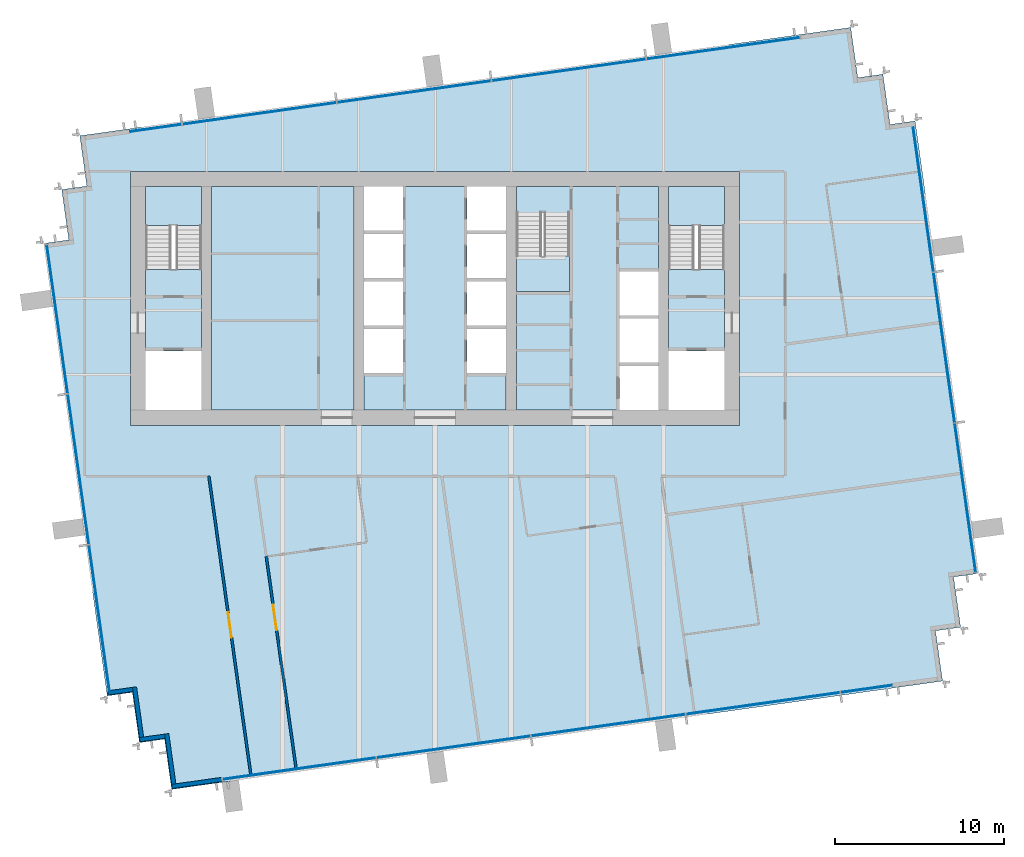
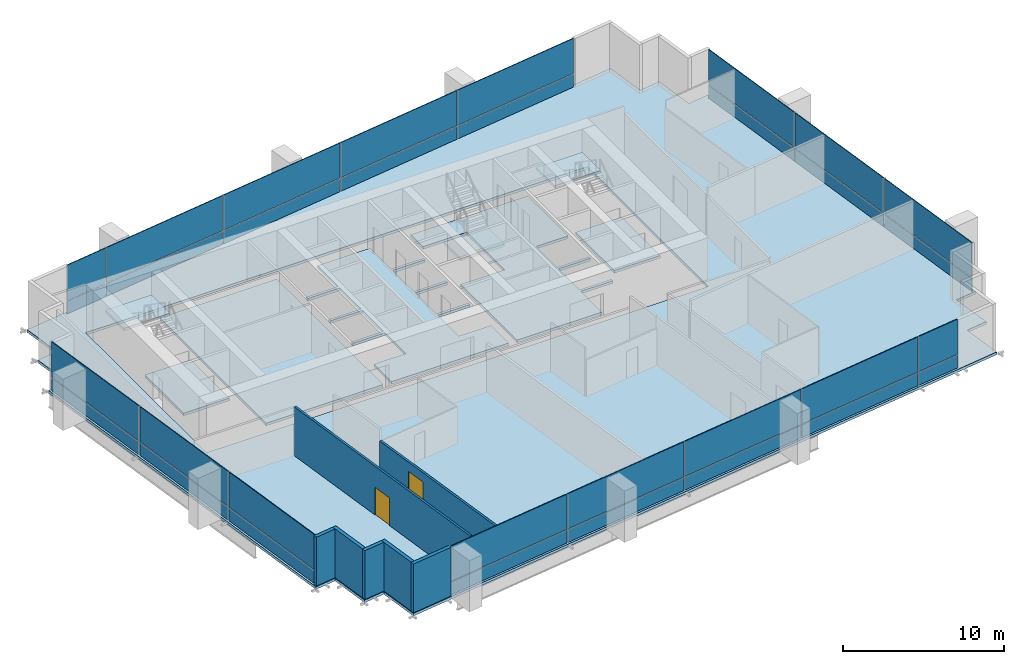
# One storey, part 8 of 13: 32 plates, 9 slabs, 7 walls, 2 doors, 2 openings, 7 elements without a shape of their own.
"""IFC4 building model written with IfcOpenShell, lengths in metres."""

from ifc_helpers import new_model, si_unit, direction, frame, frame_2d, origin, origin_2d, place, context, subcontext, project, spatial, polyline, rectangle, outline, extrude, material, layer, layer_set, type_object, element, fill, aggregate, save


model = new_model("IFC4")

# Units and contexts
model_context = context("Model", 3, precision=1e-05, world=origin(), true_north=direction((0.0, 1.0)))
body_context = subcontext(model_context, "Body", "Model", "MODEL_VIEW")
ifc_project = project(units=[si_unit("LENGTHUNIT", "METRE"), si_unit("AREAUNIT", "SQUARE_METRE"), si_unit("VOLUMEUNIT", "CUBIC_METRE"), si_unit("PLANEANGLEUNIT", "RADIAN"), si_unit("MASSUNIT", "GRAM", prefix="KILO")], contexts=[model_context])

# Site, building, storey
site_placement = place(None, origin())
site = spatial("IfcSite", under=ifc_project, at=site_placement, CompositionType="ELEMENT")
building_placement = place(site_placement, origin())
building = spatial("IfcBuilding", under=site, at=building_placement, Name="Rattan Terrace Tower", CompositionType="ELEMENT")
storey_placement = place(building_placement, frame((0.0, 0.0, 240.800048828125)))
storey = spatial("IfcBuildingStorey", under=building, at=storey_placement, Name="L55", CompositionType="ELEMENT", Elevation=240.800048828125)

# Stair, slab
ifc_material_1 = material(Name="Concrete C40/50", Category="concrete")
stair_type = type_object("IfcStairType", Name="Core exit stair 1500", PredefinedType="HALF_TURN_STAIR", material=ifc_material_1)
stair_1_placement = place(storey_placement, origin())
stair_1 = element("IfcStair", 1, at=stair_1_placement, inside=storey, type_object=stair_type, Name="L55 exit stair 1", PredefinedType="HALF_TURN_STAIR")
ifc_material_2 = material(Name="Concrete C40/50", Category="concrete")
ifc_layer_1 = layer(ifc_material_2, 0.199951171875)
ifc_layer_set_1 = layer_set([ifc_layer_1], Name="Core exit stair landing")
slab_type_1 = type_object("IfcSlabType", Name="Core exit stair landing", PredefinedType="LANDING", material=ifc_layer_set_1)
slab_1_placement = place(storey_placement, frame((0.0, 0.0, 1.75)))
slab_1 = element("IfcSlab", 2, at=slab_1_placement, type_object=slab_type_1, Name="S1 landing 1", PredefinedType="LANDING", context=body_context, shape_type="SweptSolid", body=[
    extrude(outline(polyline([(-13.800048828125, 4.300048828125), (-13.800048828125, 6.60009765625), (-17.10009765625, 6.60009765625), (-17.10009765625, 4.300048828125), (-13.800048828125, 4.300048828125)])), origin(), (0.0, 0.0, 1.0), 0.199951171875),
])
aggregate(stair_1, [slab_1])

stair_2_placement = place(storey_placement, origin())
stair_2 = element("IfcStair", 3, at=stair_2_placement, inside=storey, type_object=stair_type, Name="L55 exit stair 2", PredefinedType="HALF_TURN_STAIR")
slab_2_placement = place(storey_placement, frame((0.0, 0.0, 1.75)))
slab_2 = element("IfcSlab", 4, at=slab_2_placement, type_object=slab_type_1, Name="S2 landing 1", PredefinedType="LANDING", context=body_context, shape_type="SweptSolid", body=[
    extrude(outline(polyline([(17.10009765625, 4.300048828125), (17.10009765625, 6.60009765625), (13.800048828125, 6.60009765625), (13.800048828125, 4.300048828125), (17.10009765625, 4.300048828125)])), origin(), (0.0, 0.0, 1.0), 0.199951171875),
])
aggregate(stair_2, [slab_2])

stair_3_placement = place(storey_placement, origin())
stair_3 = element("IfcStair", 5, at=stair_3_placement, inside=storey, type_object=stair_type, Name="L55 exit stair 3", PredefinedType="HALF_TURN_STAIR")
slab_3_placement = place(storey_placement, frame((0.0, 0.0, 1.75)))
slab_3 = element("IfcSlab", 6, at=slab_3_placement, type_object=slab_type_1, Name="S3 landing 1", PredefinedType="LANDING", context=body_context, shape_type="SweptSolid", body=[
    extrude(outline(polyline([(4.800048828125, 2.5), (4.800048828125, 0.39990234375), (7.949951171875, 0.39990234375), (7.949951171875, 2.5), (4.800048828125, 2.5)])), origin(), (0.0, 0.0, 1.0), 0.199951171875),
])
aggregate(stair_3, [slab_3])

# Slabs
ifc_material_3 = material(Name="Concrete C35/45", Category="concrete")
ifc_layer_2 = layer(ifc_material_3, 0.199951171875)
ifc_layer_set_2 = layer_set([ifc_layer_2], Name="Frame composite floor slab 200")
slab_type_2 = type_object("IfcSlabType", Name="Frame composite floor slab 200", PredefinedType="FLOOR", material=ifc_layer_set_2)
slab_4_placement = place(storey_placement, frame((0.0, 0.0, -0.199951171875)))
element("IfcSlab", 7, at=slab_4_placement, inside=storey, type_object=slab_type_2, Name="Floor slab", PredefinedType="FLOOR", context=body_context, shape_type="SweptSolid", body=[
    extrude(outline(polyline([(-12.591064453125, -28.593994140625), (27.01904296875, -23.027099609375), (29.989990234375, -22.60888671875), (29.572998046875, -19.637939453125), (31.05810546875, -19.429931640625), (30.639892578125, -16.458984375), (32.1259765625, -16.25), (28.367919921875, 10.487060546875), (26.883056640625, 10.278076171875), (26.465087890625, 13.2490234375), (24.97998046875, 13.0400390625), (24.56201171875, 16.010986328125), (21.591064453125, 15.593994140625), (-18.01904296875, 10.027099609375), (-20.989990234375, 9.60888671875), (-20.572998046875, 6.637939453125), (-22.05810546875, 6.429931640625), (-21.639892578125, 3.458984375), (-23.1259765625, 3.25), (-19.367919921875, -23.487060546875), (-17.883056640625, -23.278076171875), (-17.465087890625, -26.2490234375), (-15.97998046875, -26.0400390625), (-15.56201171875, -29.010986328125), (-12.591064453125, -28.593994140625)]), holes=[polyline([(-18.0, -7.5), (18.0, -7.5), (18.0, -6.60009765625), (18.0, 6.60009765625), (18.0, 7.5), (-18.0, 7.5), (-18.0, 6.60009765625), (-18.0, -6.60009765625), (-18.0, -7.5)])]), origin(), (0.0, 0.0, 1.0), 0.199951171875),
])
slab_5_placement = place(storey_placement, frame((0.0, 0.0, -0.199951171875)))
element("IfcSlab", 8, at=slab_5_placement, inside=storey, type_object=slab_type_2, Name="Floor slab", PredefinedType="FLOOR", context=body_context, shape_type="SweptSolid", body=[
    extrude(outline(polyline([(13.199951171875, 6.60009765625), (4.800048828125, 6.60009765625), (4.800048828125, 5.090087890625), (7.949951171875, 5.090087890625), (7.949951171875, 0.39990234375), (4.800048828125, 0.39990234375), (4.800048828125, -6.60009765625), (10.89990234375, -6.60009765625), (10.89990234375, -4.0), (13.199951171875, -4.0), (13.199951171875, -3.800048828125), (10.89990234375, -3.800048828125), (10.89990234375, -1.199951171875), (13.199951171875, -1.199951171875), (13.199951171875, -1.0), (10.89990234375, -1.0), (10.89990234375, 1.60009765625), (13.199951171875, 1.60009765625), (13.199951171875, 6.60009765625)])), origin(), (0.0, 0.0, 1.0), 0.199951171875),
])
slab_6_placement = place(storey_placement, frame((0.0, 0.0, -0.199951171875)))
element("IfcSlab", 9, at=slab_6_placement, inside=storey, type_object=slab_type_2, Name="Floor slab", PredefinedType="FLOOR", context=body_context, shape_type="SweptSolid", body=[
    extrude(outline(polyline([(1.89990234375, 6.60009765625), (-1.89990234375, 6.60009765625), (-1.89990234375, 4.0), (-4.199951171875, 4.0), (-4.199951171875, 3.800048828125), (-1.89990234375, 3.800048828125), (-1.89990234375, 1.199951171875), (-4.199951171875, 1.199951171875), (-4.199951171875, 1.0), (-1.89990234375, 1.0), (-1.89990234375, -1.60009765625), (-4.199951171875, -1.60009765625), (-4.199951171875, -1.800048828125), (-1.89990234375, -1.800048828125), (-1.89990234375, -4.39990234375), (-4.199951171875, -4.39990234375), (-4.199951171875, -6.60009765625), (4.199951171875, -6.60009765625), (4.199951171875, -4.39990234375), (1.89990234375, -4.39990234375), (1.89990234375, -1.800048828125), (4.199951171875, -1.800048828125), (4.199951171875, -1.60009765625), (1.89990234375, -1.60009765625), (1.89990234375, 1.0), (4.199951171875, 1.0), (4.199951171875, 1.199951171875), (1.89990234375, 1.199951171875), (1.89990234375, 3.800048828125), (4.199951171875, 3.800048828125), (4.199951171875, 4.0), (1.89990234375, 4.0), (1.89990234375, 6.60009765625)])), origin(), (0.0, 0.0, 1.0), 0.199951171875),
])
slab_7_placement = place(storey_placement, frame((0.0, 0.0, -0.199951171875)))
element("IfcSlab", 10, at=slab_7_placement, inside=storey, type_object=slab_type_2, Name="Floor slab", PredefinedType="FLOOR", context=body_context, shape_type="SweptSolid", body=[
    extrude(outline(polyline([(-17.10009765625, -3.10009765625), (-13.800048828125, -3.10009765625), (-13.800048828125, 1.7099609375), (-17.10009765625, 1.7099609375), (-17.10009765625, -3.10009765625)])), origin(), (0.0, 0.0, 1.0), 0.199951171875),
])
slab_8_placement = place(storey_placement, frame((0.0, 0.0, -0.199951171875)))
element("IfcSlab", 11, at=slab_8_placement, inside=storey, type_object=slab_type_2, Name="Floor slab", PredefinedType="FLOOR", context=body_context, shape_type="SweptSolid", body=[
    extrude(outline(polyline([(-4.800048828125, -6.60009765625), (-4.800048828125, 6.60009765625), (-13.199951171875, 6.60009765625), (-13.199951171875, -6.60009765625), (-4.800048828125, -6.60009765625)])), origin(), (0.0, 0.0, 1.0), 0.199951171875),
])
slab_9_placement = place(storey_placement, frame((0.0, 0.0, -0.199951171875)))
element("IfcSlab", 12, at=slab_9_placement, inside=storey, type_object=slab_type_2, Name="Floor slab", PredefinedType="FLOOR", context=body_context, shape_type="SweptSolid", body=[
    extrude(outline(polyline([(13.800048828125, -3.10009765625), (17.10009765625, -3.10009765625), (17.10009765625, 1.7099609375), (13.800048828125, 1.7099609375), (13.800048828125, -3.10009765625)])), origin(), (0.0, 0.0, 1.0), 0.199951171875),
])

# Curtain wall, plates
ifc_material_4 = material(Name="Aluminium and laminated glass", Category="aluminium")
ifc_layer_3 = layer(ifc_material_4, 0.199951171875)
ifc_layer_set_3 = layer_set([ifc_layer_3], Name="High-Zone Unitised Curtain Wall")
curtain_wall_type = type_object("IfcCurtainWallType", Name="High-Zone Unitised Curtain Wall", PredefinedType="NOTDEFINED", material=ifc_layer_set_3)
curtain_wall_1_placement = place(storey_placement, origin())
curtain_wall_1 = element("IfcCurtainWall", 13, at=curtain_wall_1_placement, inside=storey, type_object=curtain_wall_type, Name="High-zone curtain wall L55-1", PredefinedType="NOTDEFINED")
ifc_material_5 = material(Name="Aluminium insulated spandrel panel", Category="aluminium")
ifc_layer_4 = layer(ifc_material_5, 0.050048828125)
ifc_layer_set_4 = layer_set([ifc_layer_4], Name="High-Zone CW Spandrel Panel")
plate_type_1 = type_object("IfcPlateType", Name="High-Zone CW Spandrel Panel", PredefinedType="CURTAIN_PANEL", material=ifc_layer_set_4)
plate_1_placement = place(storey_placement, frame((31.32568359375, -11.77783203125, 0.0), z_axis=(0.0, 0.0, 1.0), x_axis=(-0.139186165309, 0.990266232579, 0.0)))
plate_1 = element("IfcPlate", 14, at=plate_1_placement, type_object=plate_type_1, Name="Panel cwl-L55-001.1.1", PredefinedType="CURTAIN_PANEL", context=body_context, shape_type="SweptSolid", body=[
    extrude(rectangle(XDim=8.85009765625, YDim=0.050048828125, at=origin_2d()), origin(), (0.0, 0.0, 1.0), 0.965087890625),
])
plate_2_placement = place(storey_placement, frame((31.32568359375, -11.77783203125, 1.034912109375), z_axis=(0.0, 0.0, 1.0), x_axis=(-0.139186165309, 0.990266232579, 0.0)))
plate_2 = element("IfcPlate", 15, at=plate_2_placement, type_object=plate_type_1, Name="Panel cwl-L55-001.1.2", PredefinedType="CURTAIN_PANEL", context=body_context, shape_type="SweptSolid", body=[
    extrude(rectangle(XDim=8.85009765625, YDim=0.050048828125, at=origin_2d()), origin(), (0.0, 0.0, 1.0), 2.6650390625),
])
plate_3_placement = place(storey_placement, frame((30.07861328125, -2.905029296875, 0.0), z_axis=(0.0, 0.0, 1.0), x_axis=(-0.139186165309, 0.990266232579, 0.0)))
plate_3 = element("IfcPlate", 16, at=plate_3_placement, type_object=plate_type_1, Name="Panel cwl-L55-001.2.1", PredefinedType="CURTAIN_PANEL", context=body_context, shape_type="SweptSolid", body=[
    extrude(rectangle(XDim=8.929931640625, YDim=0.050048828125, at=origin_2d()), origin(), (0.0, 0.0, 1.0), 0.965087890625),
])
plate_4_placement = place(storey_placement, frame((28.843994140625, 5.87841796875, 0.0), z_axis=(0.0, 0.0, 1.0), x_axis=(-0.139186165309, 0.990266232579, 0.0)))
plate_4 = element("IfcPlate", 17, at=plate_4_placement, type_object=plate_type_1, Name="Panel cwl-L55-001.3.1", PredefinedType="CURTAIN_PANEL", context=body_context, shape_type="SweptSolid", body=[
    extrude(rectangle(XDim=8.669677734375, YDim=0.050048828125, at=origin_2d()), origin(), (0.0, 0.0, 1.0), 0.965087890625),
])

curtain_wall_2_placement = place(storey_placement, origin())
curtain_wall_2 = element("IfcCurtainWall", 18, at=curtain_wall_2_placement, inside=storey, type_object=curtain_wall_type, Name="High-zone curtain wall L55-2", PredefinedType="NOTDEFINED")
plate_5_placement = place(storey_placement, frame((17.02685546875, 14.78076171875, 0.0), z_axis=(0.0, 0.0, 1.0), x_axis=(-0.990267457022, -0.139177453499, 0.0)))
plate_5 = element("IfcPlate", 19, at=plate_5_placement, type_object=plate_type_1, Name="Panel cwl-L55-002.1.1", PredefinedType="CURTAIN_PANEL", context=body_context, shape_type="SweptSolid", body=[
    extrude(rectangle(XDim=9.1259765625, YDim=0.050048828125, at=origin_2d()), origin(), (0.0, 0.0, 1.0), 0.965087890625),
])
plate_6_placement = place(storey_placement, frame((7.90283203125, 13.49853515625, 0.0), z_axis=(0.0, 0.0, 1.0), x_axis=(-0.990267457022, -0.139177453499, 0.0)))
plate_6 = element("IfcPlate", 20, at=plate_6_placement, type_object=plate_type_1, Name="Panel cwl-L55-002.2.1", PredefinedType="CURTAIN_PANEL", context=body_context, shape_type="SweptSolid", body=[
    extrude(rectangle(XDim=9.160888671875, YDim=0.050048828125, at=origin_2d()), origin(), (0.0, 0.0, 1.0), 0.965087890625),
])
plate_7_placement = place(storey_placement, frame((-1.23828125, 12.2138671875, 0.0), z_axis=(0.0, 0.0, 1.0), x_axis=(-0.990267457022, -0.139177453499, 0.0)))
plate_7 = element("IfcPlate", 21, at=plate_7_placement, type_object=plate_type_1, Name="Panel cwl-L55-002.3.1", PredefinedType="CURTAIN_PANEL", context=body_context, shape_type="SweptSolid", body=[
    extrude(rectangle(XDim=9.160888671875, YDim=0.050048828125, at=origin_2d()), origin(), (0.0, 0.0, 1.0), 0.965087890625),
])
plate_8_placement = place(storey_placement, frame((-10.37939453125, 10.928955078125, 0.0), z_axis=(0.0, 0.0, 1.0), x_axis=(-0.990267457022, -0.139177453499, 0.0)))
plate_8 = element("IfcPlate", 22, at=plate_8_placement, type_object=plate_type_1, Name="Panel cwl-L55-002.4.1", PredefinedType="CURTAIN_PANEL", context=body_context, shape_type="SweptSolid", body=[
    extrude(rectangle(XDim=9.160888671875, YDim=0.050048828125, at=origin_2d()), origin(), (0.0, 0.0, 1.0), 0.965087890625),
])
plate_9_placement = place(storey_placement, frame((-16.489990234375, 10.0703125, 0.0), z_axis=(0.0, 0.0, 1.0), x_axis=(-0.990267457022, -0.139177453499, 0.0)))
plate_9 = element("IfcPlate", 23, at=plate_9_placement, type_object=plate_type_1, Name="Panel cwl-L55-002.5.1", PredefinedType="CURTAIN_PANEL", context=body_context, shape_type="SweptSolid", body=[
    extrude(rectangle(XDim=3.040283203125, YDim=0.050048828125, at=origin_2d()), origin(), (0.0, 0.0, 1.0), 0.965087890625),
])

curtain_wall_3_placement = place(storey_placement, origin())
curtain_wall_3 = element("IfcCurtainWall", 24, at=curtain_wall_3_placement, inside=storey, type_object=curtain_wall_type, Name="High-zone curtain wall L55-3", PredefinedType="NOTDEFINED")
plate_10_placement = place(storey_placement, frame((-22.32568359375, -1.22216796875, 0.0), z_axis=(0.0, 0.0, 1.0), x_axis=(0.139186165309, -0.990266232579, 0.0)))
plate_10 = element("IfcPlate", 25, at=plate_10_placement, type_object=plate_type_1, Name="Panel cwl-L55-003.1.1", PredefinedType="CURTAIN_PANEL", context=body_context, shape_type="SweptSolid", body=[
    extrude(rectangle(XDim=8.85009765625, YDim=0.050048828125, at=origin_2d()), origin(), (0.0, 0.0, 1.0), 0.965087890625),
])
plate_11_placement = place(storey_placement, frame((-21.07861328125, -10.094970703125, 0.0), z_axis=(0.0, 0.0, 1.0), x_axis=(0.139186165309, -0.990266232579, 0.0)))
plate_11 = element("IfcPlate", 26, at=plate_11_placement, type_object=plate_type_1, Name="Panel cwl-L55-003.2.1", PredefinedType="CURTAIN_PANEL", context=body_context, shape_type="SweptSolid", body=[
    extrude(rectangle(XDim=8.929931640625, YDim=0.050048828125, at=origin_2d()), origin(), (0.0, 0.0, 1.0), 0.965087890625),
])
plate_12_placement = place(storey_placement, frame((-19.843994140625, -18.87841796875, 0.0), z_axis=(0.0, 0.0, 1.0), x_axis=(0.139186165309, -0.990266232579, 0.0)))
plate_12 = element("IfcPlate", 27, at=plate_12_placement, type_object=plate_type_1, Name="Panel cwl-L55-003.3.1", PredefinedType="CURTAIN_PANEL", context=body_context, shape_type="SweptSolid", body=[
    extrude(rectangle(XDim=8.669677734375, YDim=0.050048828125, at=origin_2d()), origin(), (0.0, 0.0, 1.0), 0.965087890625),
])

curtain_wall_4_placement = place(storey_placement, origin())
curtain_wall_4 = element("IfcCurtainWall", 28, at=curtain_wall_4_placement, inside=storey, type_object=curtain_wall_type, Name="High-zone curtain wall L55-4", PredefinedType="NOTDEFINED")
plate_13_placement = place(storey_placement, frame((-8.02685546875, -27.78076171875, 0.0), z_axis=(0.0, 0.0, 1.0), x_axis=(0.990267457022, 0.139177453499, 0.0)))
plate_13 = element("IfcPlate", 29, at=plate_13_placement, type_object=plate_type_1, Name="Panel cwl-L55-004.1.1", PredefinedType="CURTAIN_PANEL", context=body_context, shape_type="SweptSolid", body=[
    extrude(rectangle(XDim=9.1259765625, YDim=0.050048828125, at=origin_2d()), origin(), (0.0, 0.0, 1.0), 0.965087890625),
])
plate_14_placement = place(storey_placement, frame((1.09716796875, -26.49853515625, 0.0), z_axis=(0.0, 0.0, 1.0), x_axis=(0.990267457022, 0.139177453499, 0.0)))
plate_14 = element("IfcPlate", 30, at=plate_14_placement, type_object=plate_type_1, Name="Panel cwl-L55-004.2.1", PredefinedType="CURTAIN_PANEL", context=body_context, shape_type="SweptSolid", body=[
    extrude(rectangle(XDim=9.160888671875, YDim=0.050048828125, at=origin_2d()), origin(), (0.0, 0.0, 1.0), 0.965087890625),
])
plate_15_placement = place(storey_placement, frame((10.23828125, -25.2138671875, 0.0), z_axis=(0.0, 0.0, 1.0), x_axis=(0.990267457022, 0.139177453499, 0.0)))
plate_15 = element("IfcPlate", 31, at=plate_15_placement, type_object=plate_type_1, Name="Panel cwl-L55-004.3.1", PredefinedType="CURTAIN_PANEL", context=body_context, shape_type="SweptSolid", body=[
    extrude(rectangle(XDim=9.160888671875, YDim=0.050048828125, at=origin_2d()), origin(), (0.0, 0.0, 1.0), 0.965087890625),
])
plate_16_placement = place(storey_placement, frame((19.37939453125, -23.928955078125, 0.0), z_axis=(0.0, 0.0, 1.0), x_axis=(0.990267457022, 0.139177453499, 0.0)))
plate_16 = element("IfcPlate", 32, at=plate_16_placement, type_object=plate_type_1, Name="Panel cwl-L55-004.4.1", PredefinedType="CURTAIN_PANEL", context=body_context, shape_type="SweptSolid", body=[
    extrude(rectangle(XDim=9.160888671875, YDim=0.050048828125, at=origin_2d()), origin(), (0.0, 0.0, 1.0), 0.965087890625),
])
plate_17_placement = place(storey_placement, frame((25.489990234375, -23.0703125, 0.0), z_axis=(0.0, 0.0, 1.0), x_axis=(0.990267457022, 0.139177453499, 0.0)))
plate_17 = element("IfcPlate", 33, at=plate_17_placement, type_object=plate_type_1, Name="Panel cwl-L55-004.5.1", PredefinedType="CURTAIN_PANEL", context=body_context, shape_type="SweptSolid", body=[
    extrude(rectangle(XDim=3.040283203125, YDim=0.050048828125, at=origin_2d()), origin(), (0.0, 0.0, 1.0), 0.965087890625),
])

# Plate
ifc_material_6 = material(Name="Laminated low-iron glass", Category="glass")
ifc_layer_5 = layer(ifc_material_6, 0.055908203125)
ifc_layer_set_5 = layer_set([ifc_layer_5], Name="High-Zone CW Vision Panel")
plate_type_2 = type_object("IfcPlateType", Name="High-Zone CW Vision Panel", PredefinedType="CURTAIN_PANEL", material=ifc_layer_set_5)
plate_18_placement = place(storey_placement, frame((30.07861328125, -2.905029296875, 1.034912109375), z_axis=(0.0, 0.0, 1.0), x_axis=(-0.139186165309, 0.990266232579, 0.0)))
plate_18 = element("IfcPlate", 34, at=plate_18_placement, type_object=plate_type_2, Name="Panel cwl-L55-001.2.2", PredefinedType="CURTAIN_PANEL", context=body_context, shape_type="SweptSolid", body=[
    extrude(rectangle(XDim=8.929931640625, YDim=0.055908203125, at=origin_2d()), origin(), (0.0, 0.0, 1.0), 2.6650390625),
])

plate_19_placement = place(storey_placement, frame((28.843994140625, 5.87841796875, 1.034912109375), z_axis=(0.0, 0.0, 1.0), x_axis=(-0.139186165309, 0.990266232579, 0.0)))
plate_19 = element("IfcPlate", 35, at=plate_19_placement, type_object=plate_type_2, Name="Panel cwl-L55-001.3.2", PredefinedType="CURTAIN_PANEL", context=body_context, shape_type="SweptSolid", body=[
    extrude(rectangle(XDim=8.669677734375, YDim=0.055908203125, at=origin_2d()), origin(), (0.0, 0.0, 1.0), 2.6650390625),
])

aggregate(curtain_wall_1, [plate_1, plate_2, plate_3, plate_18, plate_4, plate_19])

plate_20_placement = place(storey_placement, frame((17.02685546875, 14.78076171875, 1.034912109375), z_axis=(0.0, 0.0, 1.0), x_axis=(-0.990267457022, -0.139177453499, 0.0)))
plate_20 = element("IfcPlate", 36, at=plate_20_placement, type_object=plate_type_2, Name="Panel cwl-L55-002.1.2", PredefinedType="CURTAIN_PANEL", context=body_context, shape_type="SweptSolid", body=[
    extrude(rectangle(XDim=9.1259765625, YDim=0.055908203125, at=origin_2d()), origin(), (0.0, 0.0, 1.0), 2.6650390625),
])

plate_21_placement = place(storey_placement, frame((7.90283203125, 13.49853515625, 1.034912109375), z_axis=(0.0, 0.0, 1.0), x_axis=(-0.990267457022, -0.139177453499, 0.0)))
plate_21 = element("IfcPlate", 37, at=plate_21_placement, type_object=plate_type_2, Name="Panel cwl-L55-002.2.2", PredefinedType="CURTAIN_PANEL", context=body_context, shape_type="SweptSolid", body=[
    extrude(rectangle(XDim=9.160888671875, YDim=0.055908203125, at=origin_2d()), origin(), (0.0, 0.0, 1.0), 2.6650390625),
])

plate_22_placement = place(storey_placement, frame((-1.23828125, 12.2138671875, 1.034912109375), z_axis=(0.0, 0.0, 1.0), x_axis=(-0.990267457022, -0.139177453499, 0.0)))
plate_22 = element("IfcPlate", 38, at=plate_22_placement, type_object=plate_type_2, Name="Panel cwl-L55-002.3.2", PredefinedType="CURTAIN_PANEL", context=body_context, shape_type="SweptSolid", body=[
    extrude(rectangle(XDim=9.160888671875, YDim=0.055908203125, at=origin_2d()), origin(), (0.0, 0.0, 1.0), 2.6650390625),
])

plate_23_placement = place(storey_placement, frame((-10.37939453125, 10.928955078125, 1.034912109375), z_axis=(0.0, 0.0, 1.0), x_axis=(-0.990267457022, -0.139177453499, 0.0)))
plate_23 = element("IfcPlate", 39, at=plate_23_placement, type_object=plate_type_2, Name="Panel cwl-L55-002.4.2", PredefinedType="CURTAIN_PANEL", context=body_context, shape_type="SweptSolid", body=[
    extrude(rectangle(XDim=9.160888671875, YDim=0.055908203125, at=origin_2d()), origin(), (0.0, 0.0, 1.0), 2.6650390625),
])

plate_24_placement = place(storey_placement, frame((-16.489990234375, 10.0703125, 1.034912109375), z_axis=(0.0, 0.0, 1.0), x_axis=(-0.990267457022, -0.139177453499, 0.0)))
plate_24 = element("IfcPlate", 40, at=plate_24_placement, type_object=plate_type_2, Name="Panel cwl-L55-002.5.2", PredefinedType="CURTAIN_PANEL", context=body_context, shape_type="SweptSolid", body=[
    extrude(rectangle(XDim=3.040283203125, YDim=0.055908203125, at=origin_2d()), origin(), (0.0, 0.0, 1.0), 2.6650390625),
])

aggregate(curtain_wall_2, [plate_5, plate_20, plate_6, plate_21, plate_7, plate_22, plate_8, plate_23, plate_9, plate_24])

plate_25_placement = place(storey_placement, frame((-22.32568359375, -1.22216796875, 1.034912109375), z_axis=(0.0, 0.0, 1.0), x_axis=(0.139186165309, -0.990266232579, 0.0)))
plate_25 = element("IfcPlate", 41, at=plate_25_placement, type_object=plate_type_2, Name="Panel cwl-L55-003.1.2", PredefinedType="CURTAIN_PANEL", context=body_context, shape_type="SweptSolid", body=[
    extrude(rectangle(XDim=8.85009765625, YDim=0.055908203125, at=origin_2d()), origin(), (0.0, 0.0, 1.0), 2.6650390625),
])

plate_26_placement = place(storey_placement, frame((-21.07861328125, -10.094970703125, 1.034912109375), z_axis=(0.0, 0.0, 1.0), x_axis=(0.139186165309, -0.990266232579, 0.0)))
plate_26 = element("IfcPlate", 42, at=plate_26_placement, type_object=plate_type_2, Name="Panel cwl-L55-003.2.2", PredefinedType="CURTAIN_PANEL", context=body_context, shape_type="SweptSolid", body=[
    extrude(rectangle(XDim=8.929931640625, YDim=0.055908203125, at=origin_2d()), origin(), (0.0, 0.0, 1.0), 2.6650390625),
])

plate_27_placement = place(storey_placement, frame((-19.843994140625, -18.87841796875, 1.034912109375), z_axis=(0.0, 0.0, 1.0), x_axis=(0.139186165309, -0.990266232579, 0.0)))
plate_27 = element("IfcPlate", 43, at=plate_27_placement, type_object=plate_type_2, Name="Panel cwl-L55-003.3.2", PredefinedType="CURTAIN_PANEL", context=body_context, shape_type="SweptSolid", body=[
    extrude(rectangle(XDim=8.669677734375, YDim=0.055908203125, at=origin_2d()), origin(), (0.0, 0.0, 1.0), 2.6650390625),
])

aggregate(curtain_wall_3, [plate_10, plate_25, plate_11, plate_26, plate_12, plate_27])

plate_28_placement = place(storey_placement, frame((-8.02685546875, -27.78076171875, 1.034912109375), z_axis=(0.0, 0.0, 1.0), x_axis=(0.990267457022, 0.139177453499, 0.0)))
plate_28 = element("IfcPlate", 44, at=plate_28_placement, type_object=plate_type_2, Name="Panel cwl-L55-004.1.2", PredefinedType="CURTAIN_PANEL", context=body_context, shape_type="SweptSolid", body=[
    extrude(rectangle(XDim=9.1259765625, YDim=0.055908203125, at=origin_2d()), origin(), (0.0, 0.0, 1.0), 2.6650390625),
])

plate_29_placement = place(storey_placement, frame((1.09716796875, -26.49853515625, 1.034912109375), z_axis=(0.0, 0.0, 1.0), x_axis=(0.990267457022, 0.139177453499, 0.0)))
plate_29 = element("IfcPlate", 45, at=plate_29_placement, type_object=plate_type_2, Name="Panel cwl-L55-004.2.2", PredefinedType="CURTAIN_PANEL", context=body_context, shape_type="SweptSolid", body=[
    extrude(rectangle(XDim=9.160888671875, YDim=0.055908203125, at=origin_2d()), origin(), (0.0, 0.0, 1.0), 2.6650390625),
])

plate_30_placement = place(storey_placement, frame((10.23828125, -25.2138671875, 1.034912109375), z_axis=(0.0, 0.0, 1.0), x_axis=(0.990267457022, 0.139177453499, 0.0)))
plate_30 = element("IfcPlate", 46, at=plate_30_placement, type_object=plate_type_2, Name="Panel cwl-L55-004.3.2", PredefinedType="CURTAIN_PANEL", context=body_context, shape_type="SweptSolid", body=[
    extrude(rectangle(XDim=9.160888671875, YDim=0.055908203125, at=origin_2d()), origin(), (0.0, 0.0, 1.0), 2.6650390625),
])

plate_31_placement = place(storey_placement, frame((19.37939453125, -23.928955078125, 1.034912109375), z_axis=(0.0, 0.0, 1.0), x_axis=(0.990267457022, 0.139177453499, 0.0)))
plate_31 = element("IfcPlate", 47, at=plate_31_placement, type_object=plate_type_2, Name="Panel cwl-L55-004.4.2", PredefinedType="CURTAIN_PANEL", context=body_context, shape_type="SweptSolid", body=[
    extrude(rectangle(XDim=9.160888671875, YDim=0.055908203125, at=origin_2d()), origin(), (0.0, 0.0, 1.0), 2.6650390625),
])

plate_32_placement = place(storey_placement, frame((25.489990234375, -23.0703125, 1.034912109375), z_axis=(0.0, 0.0, 1.0), x_axis=(0.990267457022, 0.139177453499, 0.0)))
plate_32 = element("IfcPlate", 48, at=plate_32_placement, type_object=plate_type_2, Name="Panel cwl-L55-004.5.2", PredefinedType="CURTAIN_PANEL", context=body_context, shape_type="SweptSolid", body=[
    extrude(rectangle(XDim=3.040283203125, YDim=0.055908203125, at=origin_2d()), origin(), (0.0, 0.0, 1.0), 2.6650390625),
])

aggregate(curtain_wall_4, [plate_13, plate_28, plate_14, plate_29, plate_15, plate_30, plate_16, plate_31, plate_17, plate_32])

# Walls
ifc_material_7 = material(Name="Insulated aluminium-clad stud wall", Category="aluminium")
ifc_layer_6 = layer(ifc_material_7, 0.25)
ifc_layer_set_6 = layer_set([ifc_layer_6], Name="Facade Riser Wall 250")
wall_type_1 = type_object("IfcWallType", Name="Facade Riser Wall 250", PredefinedType="SOLIDWALL", material=ifc_layer_set_6)
wall_1_placement = place(storey_placement, frame((-19.322265625, -23.308837890625, 0.0), z_axis=(0.0, 0.0, 1.0), x_axis=(0.990235520307, 0.13940449893, 0.0)))
element("IfcWall", 49, at=wall_1_placement, inside=storey, type_object=wall_type_1, Name="Riser wall L55-16", PredefinedType="SOLIDWALL", context=body_context, shape_type="SweptSolid", body=[
    extrude(rectangle(XDim=1.474609375, YDim=0.25, at=frame_2d((0.7373046875, 0.0))), origin(), (0.0, 0.0, 1.0), 3.699951171875),
])
wall_2_placement = place(storey_placement, frame((-17.755859375, -22.962158203125, 0.0), z_axis=(0.0, 0.0, 1.0), x_axis=(0.139393225799, -0.990237107263, 0.0)))
element("IfcWall", 50, at=wall_2_placement, inside=storey, type_object=wall_type_1, Name="Riser wall L55-17", PredefinedType="SOLIDWALL", context=body_context, shape_type="SweptSolid", body=[
    extrude(rectangle(XDim=3.000244140625, YDim=0.25, at=frame_2d((1.5, 0.0))), origin(), (0.0, 0.0, 1.0), 3.699951171875),
])
wall_3_placement = place(storey_placement, frame((-17.444091796875, -26.074462890625, 0.0), z_axis=(0.0, 0.0, 1.0), x_axis=(0.990240434918, 0.139369584395, 0.0)))
element("IfcWall", 51, at=wall_3_placement, inside=storey, type_object=wall_type_1, Name="Riser wall L55-18", PredefinedType="SOLIDWALL", context=body_context, shape_type="SweptSolid", body=[
    extrude(rectangle(XDim=1.49951171875, YDim=0.25, at=frame_2d((0.749755859375, 0.0))), origin(), (0.0, 0.0, 1.0), 3.699951171875),
])
wall_4_placement = place(storey_placement, frame((-15.852783203125, -25.72412109375, 0.0), z_axis=(0.0, 0.0, 1.0), x_axis=(0.139302206688, -0.990249915532, 0.0)))
element("IfcWall", 52, at=wall_4_placement, inside=storey, type_object=wall_type_1, Name="Riser wall L55-19", PredefinedType="SOLIDWALL", context=body_context, shape_type="SweptSolid", body=[
    extrude(rectangle(XDim=3.00048828125, YDim=0.25, at=frame_2d((1.500244140625, 0.0))), origin(), (0.0, 0.0, 1.0), 3.699951171875),
])
wall_5_placement = place(storey_placement, frame((-15.541015625, -28.83642578125, 0.0), z_axis=(0.0, 0.0, 1.0), x_axis=(0.990285396533, 0.139049751574, 0.0)))
element("IfcWall", 53, at=wall_5_placement, inside=storey, type_object=wall_type_1, Name="Riser wall L55-20", PredefinedType="SOLIDWALL", context=body_context, shape_type="SweptSolid", body=[
    extrude(rectangle(XDim=2.955078125, YDim=0.25, at=frame_2d((1.4775390625, 0.0))), origin(), (0.0, 0.0, 1.0), 3.699951171875),
])

# Wall, opening, door
ifc_material_8 = material(Name="Gypsum board partition on steel studs, fire rated", Category="steel")
ifc_layer_7 = layer(ifc_material_8, 0.14990234375)
ifc_layer_set_7 = layer_set([ifc_layer_7], Name="Floors Tenancy Wall 150")
wall_type_2 = type_object("IfcWallType", Name="Floors Tenancy Wall 150", PredefinedType="PARTITIONING", material=ifc_layer_set_7)
wall_6_placement = place(storey_placement, frame((-10.89111328125, -28.093017578125, 0.0), z_axis=(0.0, 0.0, 1.0), x_axis=(-0.139139234553, 0.990272827764, 0.0)))
wall_6 = element("IfcWall", 54, at=wall_6_placement, inside=storey, type_object=wall_type_2, Name="pt-L55-003", PredefinedType="PARTITIONING", context=body_context, shape_type="SweptSolid", body=[
    extrude(rectangle(XDim=17.765869140625, YDim=0.14990234375, at=frame_2d((8.8828125, 0.0))), origin(), (0.0, 0.0, 1.0), 3.699951171875),
])
opening_1_placement = place(wall_6_placement, frame((8.133056640625, 0.0, 0.0)))
opening_1 = element("IfcOpeningElement", 55, at=opening_1_placement, cuts=wall_6, Name="Opening L55-D100", PredefinedType="OPENING", context=body_context, shape_type="SweptSolid", body=[
    extrude(rectangle(XDim=1.5, YDim=2.10009765625, at=frame_2d((0.75, 1.050048828125))), frame((0.0, 0.08544921875, 0.0), z_axis=(0.0, -1.0, 0.0), x_axis=(1.0, 0.0, 0.0)), (0.0, 0.0, 1.0), 0.1708984375),
])
ifc_material_9 = material(Name="Steel fire door set", Category="steel")
door_type = type_object("IfcDoorType", Name="Floors Unit Door Pair FD30S 1500x2100", OperationType="NOTDEFINED", PredefinedType="DOOR", material=ifc_material_9)
door_1_placement = place(opening_1_placement, origin())
door_1 = element("IfcDoor", 56, at=door_1_placement, inside=storey, type_object=door_type, Name="d-L55-100", OperationType="DOUBLE_DOOR_SINGLE_SWING", OverallHeight=2.10009765625, OverallWidth=1.5, PredefinedType="DOOR", context=body_context, shape_type="SweptSolid", body=[
    extrude(rectangle(XDim=1.5, YDim=2.10009765625, at=frame_2d((0.75, 1.050048828125))), frame((0.0, 0.02490234375, 0.0), z_axis=(0.0, -1.0, 0.0), x_axis=(1.0, 0.0, 0.0)), (0.0, 0.0, 1.0), 0.050048828125),
])
fill(opening_1, door_1)

wall_7_placement = place(storey_placement, frame((-9.971923828125, -15.23291015625, 0.0), z_axis=(0.0, 0.0, 1.0), x_axis=(0.139200531242, -0.990264213279, 0.0)))
wall_7 = element("IfcWall", 57, at=wall_7_placement, inside=storey, type_object=wall_type_2, Name="pt-L55-012", PredefinedType="PARTITIONING", context=body_context, shape_type="SweptSolid", body=[
    extrude(rectangle(XDim=12.60693359375, YDim=0.14990234375, at=frame_2d((6.303466796875, 0.0))), origin(), (0.0, 0.0, 1.0), 2.800048828125),
])
opening_2_placement = place(wall_7_placement, frame((2.90087890625, 0.0, 0.0)))
opening_2 = element("IfcOpeningElement", 58, at=opening_2_placement, cuts=wall_7, Name="Opening L55-D106", PredefinedType="OPENING", context=body_context, shape_type="SweptSolid", body=[
    extrude(rectangle(XDim=1.5, YDim=2.10009765625, at=frame_2d((0.75, 1.050048828125))), frame((0.0, 0.08544921875, 0.0), z_axis=(0.0, -1.0, 0.0), x_axis=(1.0, 0.0, 0.0)), (0.0, 0.0, 1.0), 0.1708984375),
])
door_2_placement = place(opening_2_placement, origin())
door_2 = element("IfcDoor", 59, at=door_2_placement, inside=storey, type_object=door_type, Name="d-L55-106", OperationType="DOUBLE_DOOR_SINGLE_SWING", OverallHeight=2.10009765625, OverallWidth=1.5, PredefinedType="DOOR", context=body_context, shape_type="SweptSolid", body=[
    extrude(rectangle(XDim=1.5, YDim=2.10009765625, at=frame_2d((0.75, 1.050048828125))), frame((0.0, 0.02490234375, 0.0), z_axis=(0.0, -1.0, 0.0), x_axis=(1.0, 0.0, 0.0)), (0.0, 0.0, 1.0), 0.050048828125),
])
fill(opening_2, door_2)

save(model, "model.ifc")
